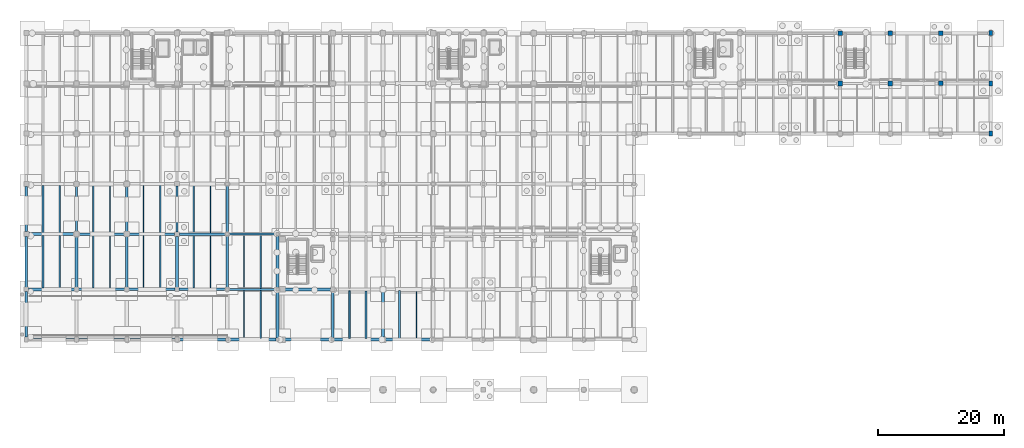
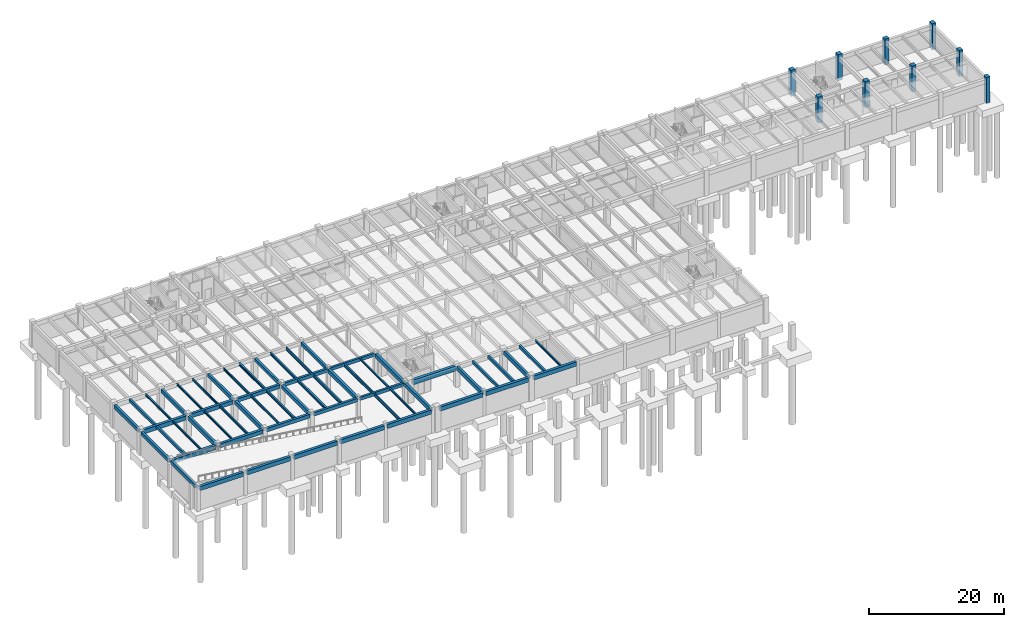
# One storey, part 8 of 25: 58 beams, 9 columns.
"""IFC4 building model written with IfcOpenShell, lengths in metres."""

from ifc_helpers import new_model, si_unit, direction, frame, origin, origin_2d, place, context, subcontext, project, spatial, rectangle, i_section, extrude, material, material_profile, profile_set, type_object, element, save


model = new_model("IFC4")

# Units and contexts
model_context = context("Model", 3, precision=1e-05, world=origin(), true_north=direction((0.0, 1.0)))
body_context = subcontext(model_context, "Body", "Model", "MODEL_VIEW")
ifc_project = project(units=[si_unit("LENGTHUNIT", "METRE"), si_unit("AREAUNIT", "SQUARE_METRE"), si_unit("VOLUMEUNIT", "CUBIC_METRE"), si_unit("PLANEANGLEUNIT", "RADIAN"), si_unit("MASSUNIT", "GRAM", prefix="KILO")], contexts=[model_context])

# Site, building, storey
site_placement = place(None, origin())
site = spatial("IfcSite", under=ifc_project, at=site_placement, CompositionType="ELEMENT")
building_placement = place(site_placement, origin())
building = spatial("IfcBuilding", under=site, at=building_placement, Name="Tlaxcora Railside Police Headquarters", CompositionType="ELEMENT")
storey_placement = place(building_placement, frame((0.0, 0.0, -4.199951171875)))
storey = spatial("IfcBuildingStorey", under=building, at=storey_placement, Name="B1", CompositionType="ELEMENT", Elevation=-4.199951171875)

# Columns
ifc_material_1 = material(Name="Concrete C40/50", Category="concrete")
ifc_material_profile_1 = material_profile(ifc_material_1, rectangle(XDim=0.75, YDim=0.75, at=origin_2d()), Name="RC750X750")
ifc_profile_set_1 = profile_set([ifc_material_profile_1], Name="Concrete C40/50")
column_type_1 = type_object("IfcColumnType", Name="Structural Column CL-18", PredefinedType="COLUMN", material=ifc_profile_set_1)
for number, where, z_axis, x_axis, name in (
    (1, (134.800048828125, 84.800048828125, -0.52001953125), (0.0, 0.0, 1.0), (1.0, 0.0, 0.0), "B1 column (134.8, 84.8)"),
    (2, (134.800048828125, 92.800048828125, -0.52001953125), (0.0, 0.0, 1.0), (1.0, 0.0, 0.0), "B1 column (134.8, 92.8)"),
    (3, (142.800048828125, 84.800048828125, -0.52001953125), (0.0, 0.0, 1.0), (1.0, 0.0, 0.0), "B1 column (142.8, 84.8)"),
    (4, (142.800048828125, 92.800048828125, -0.52001953125), (0.0, 0.0, 1.0), (1.0, 0.0, 0.0), "B1 column (142.8, 92.8)"),
):
    element("IfcColumn", number, at=place(storey_placement, frame(where, z_axis=z_axis, x_axis=x_axis)), inside=storey, type_object=column_type_1, Name=name, PredefinedType="COLUMN", context=body_context, shape_type="SweptSolid", body=[
        extrude(rectangle(XDim=0.75, YDim=0.75, at=origin_2d()), origin(), (0.0, 0.0, 1.0), 4.719970703125),
    ])
ifc_material_profile_2 = material_profile(ifc_material_1, rectangle(XDim=0.699951171875, YDim=0.699951171875, at=origin_2d()), Name="RC700X700")
ifc_profile_set_2 = profile_set([ifc_material_profile_2], Name="Concrete C40/50")
column_type_2 = type_object("IfcColumnType", Name="Structural Column CL-43", PredefinedType="COLUMN", material=ifc_profile_set_2)
for number, where, z_axis, x_axis, name in (
    (5, (150.800048828125, 84.800048828125, -0.52001953125), (0.0, 0.0, 1.0), (1.0, 0.0, 0.0), "B1 column (150.8, 84.8)"),
    (6, (150.800048828125, 92.800048828125, -0.52001953125), (0.0, 0.0, 1.0), (1.0, 0.0, 0.0), "B1 column (150.8, 92.8)"),
):
    element("IfcColumn", number, at=place(storey_placement, frame(where, z_axis=z_axis, x_axis=x_axis)), inside=storey, type_object=column_type_2, Name=name, PredefinedType="COLUMN", context=body_context, shape_type="SweptSolid", body=[
        extrude(rectangle(XDim=0.699951171875, YDim=0.699951171875, at=origin_2d()), origin(), (0.0, 0.0, 1.0), 4.719970703125),
    ])
ifc_material_profile_3 = material_profile(ifc_material_1, rectangle(XDim=0.60009765625, YDim=0.800048828125, at=origin_2d()), Name="RC600X800")
ifc_profile_set_3 = profile_set([ifc_material_profile_3], Name="Concrete C40/50")
column_type_3 = type_object("IfcColumnType", Name="Structural Column CL-90", PredefinedType="COLUMN", material=ifc_profile_set_3)
for number, where, z_axis, x_axis, name in (
    (7, (158.800048828125, 76.800048828125, -0.52001953125), (0.0, 0.0, 1.0), (1.0, 0.0, 0.0), "B1 column (158.8, 76.8)"),
    (8, (158.800048828125, 84.800048828125, -0.52001953125), (0.0, 0.0, 1.0), (1.0, 0.0, 0.0), "B1 column (158.8, 84.8)"),
    (9, (158.800048828125, 92.800048828125, -0.52001953125), (0.0, 0.0, 1.0), (1.0, 0.0, 0.0), "B1 column (158.8, 92.8)"),
):
    element("IfcColumn", number, at=place(storey_placement, frame(where, z_axis=z_axis, x_axis=x_axis)), inside=storey, type_object=column_type_3, Name=name, PredefinedType="COLUMN", context=body_context, shape_type="SweptSolid", body=[
        extrude(rectangle(XDim=0.60009765625, YDim=0.800048828125, at=origin_2d()), origin(), (0.0, 0.0, 1.0), 4.719970703125),
    ])

# Beams
ifc_material_profile_4 = material_profile(ifc_material_1, rectangle(XDim=0.39990234375, YDim=0.64990234375, at=origin_2d()), Name="RC400X650")
ifc_profile_set_4 = profile_set([ifc_material_profile_4], Name="Concrete C40/50")
beam_type_1 = type_object("IfcBeamType", Name="Perimeter Spandrel Beam BM-46", PredefinedType="SPANDREL", material=ifc_profile_set_4)
beam_1_placement = place(storey_placement, frame((5.199951171875, 44.389892578125, 3.594970703125), z_axis=(0.0, 1.0, 0.0), x_axis=(-1.0, 0.0, 0.0)))
element("IfcBeam", 10, at=beam_1_placement, inside=storey, type_object=beam_type_1, Name="V5 B1 Y-girder X=5.2", PredefinedType="SPANDREL", context=body_context, shape_type="SweptSolid", body=[
    extrude(rectangle(XDim=0.39990234375, YDim=0.64990234375, at=origin_2d()), origin(), (0.0, 0.0, 1.0), 7.27001953125),
])
beam_2_placement = place(storey_placement, frame((5.199951171875, 52.340087890625, 3.454833984375), z_axis=(0.0, 1.0, 0.0), x_axis=(-1.0, 0.0, 0.0)))
element("IfcBeam", 11, at=beam_2_placement, inside=storey, type_object=beam_type_1, Name="V5 B1 Y-girder X=5.2", PredefinedType="SPANDREL", context=body_context, shape_type="SweptSolid", body=[
    extrude(rectangle(XDim=0.39990234375, YDim=0.64990234375, at=origin_2d()), origin(), (0.0, 0.0, 1.0), 8.06982421875),
])
beam_3_placement = place(storey_placement, frame((5.199951171875, 61.18994140625, 3.454833984375), z_axis=(0.0, 1.0, 0.0), x_axis=(-1.0, 0.0, 0.0)))
element("IfcBeam", 12, at=beam_3_placement, inside=storey, type_object=beam_type_1, Name="V5 B1 Y-girder X=5.2", PredefinedType="SPANDREL", context=body_context, shape_type="SweptSolid", body=[
    extrude(rectangle(XDim=0.39990234375, YDim=0.64990234375, at=origin_2d()), origin(), (0.0, 0.0, 1.0), 7.219970703125),
])
ifc_material_profile_5 = material_profile(ifc_material_1, rectangle(XDim=0.449951171875, YDim=0.75, at=origin_2d()), Name="RC450X750")
ifc_profile_set_5 = profile_set([ifc_material_profile_5], Name="Concrete C40/50")
beam_type_2 = type_object("IfcBeamType", Name="Perimeter Spandrel Beam BM-86", PredefinedType="SPANDREL", material=ifc_profile_set_5)
for number, where, z_axis, x_axis, name in (
    (13, (5.489990234375, 44.0, 3.405029296875), (1.0, 0.0, 0.0), (0.0, 1.0, 0.0), "V5 B1 X-girder Y=44.0"),
    (14, (13.489990234375, 44.0, 3.405029296875), (1.0, 0.0, 0.0), (0.0, 1.0, 0.0), "V5 B1 X-girder Y=44.0"),
    (15, (21.489990234375, 44.0, 3.405029296875), (1.0, 0.0, 0.0), (0.0, 1.0, 0.0), "V5 B1 X-girder Y=44.0"),
):
    element("IfcBeam", number, at=place(storey_placement, frame(where, z_axis=z_axis, x_axis=x_axis)), inside=storey, type_object=beam_type_2, Name=name, PredefinedType="SPANDREL", context=body_context, shape_type="SweptSolid", body=[
        extrude(rectangle(XDim=0.449951171875, YDim=0.75, at=origin_2d()), origin(), (0.0, 0.0, 1.0), 7.419921875),
    ])
beam_4_placement = place(storey_placement, frame((29.489990234375, 44.0, 3.405029296875), z_axis=(1.0, 0.0, 0.0), x_axis=(0.0, 1.0, 0.0)))
element("IfcBeam", 16, at=beam_4_placement, inside=storey, type_object=beam_type_2, Name="V5 B1 X-girder Y=44.0", PredefinedType="SPANDREL", context=body_context, shape_type="SweptSolid", body=[
    extrude(rectangle(XDim=0.449951171875, YDim=0.75, at=origin_2d()), origin(), (0.0, 0.0, 1.0), 7.469970703125),
])
beam_5_placement = place(storey_placement, frame((37.43994140625, 44.0, 3.405029296875), z_axis=(1.0, 0.0, 0.0), x_axis=(0.0, 1.0, 0.0)))
element("IfcBeam", 17, at=beam_5_placement, inside=storey, type_object=beam_type_2, Name="V5 B1 X-girder Y=44.0", PredefinedType="SPANDREL", context=body_context, shape_type="SweptSolid", body=[
    extrude(rectangle(XDim=0.449951171875, YDim=0.75, at=origin_2d()), origin(), (0.0, 0.0, 1.0), 7.52001953125),
])
for number, where, z_axis, x_axis, name in (
    (18, (46.43994140625, 44.0, 3.405029296875), (1.0, 0.0, 0.0), (0.0, 1.0, 0.0), "V5 B1 X-girder Y=44.0"),
    (19, (54.239990234375, 44.0, 3.405029296875), (1.0, 0.0, 0.0), (0.0, 1.0, 0.0), "V5 B1 X-girder Y=44.0"),
    (20, (62.43994140625, 44.0, 3.405029296875), (1.0, 0.0, 0.0), (0.0, 1.0, 0.0), "V5 B1 X-girder Y=44.0"),
):
    element("IfcBeam", number, at=place(storey_placement, frame(where, z_axis=z_axis, x_axis=x_axis)), inside=storey, type_object=beam_type_2, Name=name, PredefinedType="SPANDREL", context=body_context, shape_type="SweptSolid", body=[
        extrude(rectangle(XDim=0.449951171875, YDim=0.75, at=origin_2d()), origin(), (0.0, 0.0, 1.0), 7.320068359375),
    ])
ifc_material_profile_6 = material_profile(ifc_material_1, rectangle(XDim=0.3798828125, YDim=0.60009765625, at=origin_2d()), Name="RC380X600")
ifc_profile_set_6 = profile_set([ifc_material_profile_6], Name="Concrete C40/50")
beam_type_3 = type_object("IfcBeamType", Name="Primary Frame Girder BM-22", PredefinedType="BEAM", material=ifc_profile_set_6)
beam_6_placement = place(storey_placement, frame((29.5400390625, 52.0, 3.47998046875), z_axis=(1.0, 0.0, 0.0), x_axis=(0.0, 1.0, 0.0)))
element("IfcBeam", 21, at=beam_6_placement, inside=storey, type_object=beam_type_3, Name="V5 B1 X-girder Y=52.0", PredefinedType="BEAM", context=body_context, shape_type="SweptSolid", body=[
    extrude(rectangle(XDim=0.3798828125, YDim=0.60009765625, at=origin_2d()), origin(), (0.0, 0.0, 1.0), 7.419921875),
])
beam_7_placement = place(storey_placement, frame((29.56494140625, 60.800048828125, 3.47998046875), z_axis=(1.0, 0.0, 0.0), x_axis=(0.0, 1.0, 0.0)))
element("IfcBeam", 22, at=beam_7_placement, inside=storey, type_object=beam_type_3, Name="V5 B1 X-girder Y=60.8", PredefinedType="BEAM", context=body_context, shape_type="SweptSolid", body=[
    extrude(rectangle(XDim=0.3798828125, YDim=0.60009765625, at=origin_2d()), origin(), (0.0, 0.0, 1.0), 7.39501953125),
])
for number, where, z_axis, x_axis, name in (
    (23, (13.199951171875, 61.18994140625, 3.47998046875), (0.0, 1.0, 0.0), (-1.0, 0.0, 0.0), "V5 B1 Y-girder X=13.2"),
    (24, (21.199951171875, 61.18994140625, 3.47998046875), (0.0, 1.0, 0.0), (-1.0, 0.0, 0.0), "V5 B1 Y-girder X=21.2"),
):
    element("IfcBeam", number, at=place(storey_placement, frame(where, z_axis=z_axis, x_axis=x_axis)), inside=storey, type_object=beam_type_3, Name=name, PredefinedType="BEAM", context=body_context, shape_type="SweptSolid", body=[
        extrude(rectangle(XDim=0.3798828125, YDim=0.60009765625, at=origin_2d()), origin(), (0.0, 0.0, 1.0), 7.219970703125),
    ])
beam_8_placement = place(storey_placement, frame((29.199951171875, 61.1650390625, 3.47998046875), z_axis=(0.0, 1.0, 0.0), x_axis=(-1.0, 0.0, 0.0)))
element("IfcBeam", 25, at=beam_8_placement, inside=storey, type_object=beam_type_3, Name="V5 B1 Y-girder X=29.2", PredefinedType="BEAM", context=body_context, shape_type="SweptSolid", body=[
    extrude(rectangle(XDim=0.3798828125, YDim=0.60009765625, at=origin_2d()), origin(), (0.0, 0.0, 1.0), 7.27001953125),
])
beam_9_placement = place(storey_placement, frame((37.199951171875, 61.0400390625, 3.47998046875), z_axis=(0.0, 1.0, 0.0), x_axis=(-1.0, 0.0, 0.0)))
element("IfcBeam", 26, at=beam_9_placement, inside=storey, type_object=beam_type_3, Name="V5 B1 Y-girder X=37.2", PredefinedType="BEAM", context=body_context, shape_type="SweptSolid", body=[
    extrude(rectangle(XDim=0.3798828125, YDim=0.60009765625, at=origin_2d()), origin(), (0.0, 0.0, 1.0), 7.52001953125),
])
ifc_material_profile_7 = material_profile(ifc_material_1, rectangle(XDim=0.419921875, YDim=0.699951171875, at=origin_2d()), Name="RC420X700")
ifc_profile_set_7 = profile_set([ifc_material_profile_7], Name="Concrete C40/50")
beam_type_4 = type_object("IfcBeamType", Name="Primary Frame Girder BM-35", PredefinedType="BEAM", material=ifc_profile_set_7)
beam_10_placement = place(storey_placement, frame((13.5400390625, 52.0, 3.429931640625), z_axis=(1.0, 0.0, 0.0), x_axis=(0.0, 1.0, 0.0)))
element("IfcBeam", 27, at=beam_10_placement, inside=storey, type_object=beam_type_4, Name="V5 B1 X-girder Y=52.0", PredefinedType="BEAM", context=body_context, shape_type="SweptSolid", body=[
    extrude(rectangle(XDim=0.419921875, YDim=0.699951171875, at=origin_2d()), origin(), (0.0, 0.0, 1.0), 7.320068359375),
])
beam_11_placement = place(storey_placement, frame((13.590087890625, 60.800048828125, 3.429931640625), z_axis=(1.0, 0.0, 0.0), x_axis=(0.0, 1.0, 0.0)))
element("IfcBeam", 28, at=beam_11_placement, inside=storey, type_object=beam_type_4, Name="V5 B1 X-girder Y=60.8", PredefinedType="BEAM", context=body_context, shape_type="SweptSolid", body=[
    extrude(rectangle(XDim=0.419921875, YDim=0.699951171875, at=origin_2d()), origin(), (0.0, 0.0, 1.0), 7.219970703125),
])
for number, where, z_axis, x_axis, name in (
    (29, (13.199951171875, 52.340087890625, 3.429931640625), (0.0, 1.0, 0.0), (-1.0, 0.0, 0.0), "V5 B1 Y-girder X=13.2"),
    (30, (21.199951171875, 52.340087890625, 3.429931640625), (0.0, 1.0, 0.0), (-1.0, 0.0, 0.0), "V5 B1 Y-girder X=21.2"),
):
    element("IfcBeam", number, at=place(storey_placement, frame(where, z_axis=z_axis, x_axis=x_axis)), inside=storey, type_object=beam_type_4, Name=name, PredefinedType="BEAM", context=body_context, shape_type="SweptSolid", body=[
        extrude(rectangle(XDim=0.419921875, YDim=0.699951171875, at=origin_2d()), origin(), (0.0, 0.0, 1.0), 8.06982421875),
    ])
beam_12_placement = place(storey_placement, frame((29.199951171875, 52.340087890625, 3.429931640625), z_axis=(0.0, 1.0, 0.0), x_axis=(-1.0, 0.0, 0.0)))
element("IfcBeam", 31, at=beam_12_placement, inside=storey, type_object=beam_type_4, Name="V5 B1 Y-girder X=29.2", PredefinedType="BEAM", context=body_context, shape_type="SweptSolid", body=[
    extrude(rectangle(XDim=0.419921875, YDim=0.699951171875, at=origin_2d()), origin(), (0.0, 0.0, 1.0), 8.094970703125),
])
beam_13_placement = place(storey_placement, frame((37.199951171875, 52.239990234375, 3.429931640625), z_axis=(0.0, 1.0, 0.0), x_axis=(-1.0, 0.0, 0.0)))
element("IfcBeam", 32, at=beam_13_placement, inside=storey, type_object=beam_type_4, Name="V5 B1 Y-girder X=37.2", PredefinedType="BEAM", context=body_context, shape_type="SweptSolid", body=[
    extrude(rectangle(XDim=0.419921875, YDim=0.699951171875, at=origin_2d()), origin(), (0.0, 0.0, 1.0), 8.320068359375),
])
beam_14_placement = place(storey_placement, frame((45.199951171875, 44.239990234375, 3.429931640625), z_axis=(0.0, 1.0, 0.0), x_axis=(-1.0, 0.0, 0.0)))
element("IfcBeam", 33, at=beam_14_placement, inside=storey, type_object=beam_type_4, Name="V5 B1 Y-girder X=45.2", PredefinedType="BEAM", context=body_context, shape_type="SweptSolid", body=[
    extrude(rectangle(XDim=0.419921875, YDim=0.699951171875, at=origin_2d()), origin(), (0.0, 0.0, 1.0), 7.52001953125),
])
beam_15_placement = place(storey_placement, frame((45.199951171875, 52.239990234375, 3.429931640625), z_axis=(0.0, 1.0, 0.0), x_axis=(-1.0, 0.0, 0.0)))
element("IfcBeam", 34, at=beam_15_placement, inside=storey, type_object=beam_type_4, Name="V5 B1 Y-girder X=45.2", PredefinedType="BEAM", context=body_context, shape_type="SweptSolid", body=[
    extrude(rectangle(XDim=0.419921875, YDim=0.699951171875, at=origin_2d()), origin(), (0.0, 0.0, 1.0), 8.320068359375),
])
beam_16_placement = place(storey_placement, frame((54.0, 44.239990234375, 3.429931640625), z_axis=(0.0, 1.0, 0.0), x_axis=(-1.0, 0.0, 0.0)))
element("IfcBeam", 35, at=beam_16_placement, inside=storey, type_object=beam_type_4, Name="V5 B1 Y-girder X=54.0", PredefinedType="BEAM", context=body_context, shape_type="SweptSolid", body=[
    extrude(rectangle(XDim=0.419921875, YDim=0.699951171875, at=origin_2d()), origin(), (0.0, 0.0, 1.0), 7.419921875),
])
beam_17_placement = place(storey_placement, frame((62.0, 44.43994140625, 3.429931640625), z_axis=(0.0, 1.0, 0.0), x_axis=(-1.0, 0.0, 0.0)))
element("IfcBeam", 36, at=beam_17_placement, inside=storey, type_object=beam_type_4, Name="V5 B1 Y-girder X=62.0", PredefinedType="BEAM", context=body_context, shape_type="SweptSolid", body=[
    extrude(rectangle(XDim=0.419921875, YDim=0.699951171875, at=origin_2d()), origin(), (0.0, 0.0, 1.0), 7.1201171875),
])
ifc_material_profile_8 = material_profile(ifc_material_1, rectangle(XDim=0.35009765625, YDim=0.550048828125, at=origin_2d()), Name="RC350X550")
ifc_profile_set_8 = profile_set([ifc_material_profile_8], Name="Concrete C40/50")
beam_type_5 = type_object("IfcBeamType", Name="Primary Frame Girder BM-39", PredefinedType="BEAM", material=ifc_profile_set_8)
for number, where, z_axis, x_axis, name in (
    (37, (37.43994140625, 52.0, 3.5048828125), (1.0, 0.0, 0.0), (0.0, 1.0, 0.0), "V5 B1 X-girder Y=52.0"),
    (38, (37.43994140625, 60.800048828125, 3.5048828125), (1.0, 0.0, 0.0), (0.0, 1.0, 0.0), "V5 B1 X-girder Y=60.8"),
):
    element("IfcBeam", number, at=place(storey_placement, frame(where, z_axis=z_axis, x_axis=x_axis)), inside=storey, type_object=beam_type_5, Name=name, PredefinedType="BEAM", context=body_context, shape_type="SweptSolid", body=[
        extrude(rectangle(XDim=0.35009765625, YDim=0.550048828125, at=origin_2d()), origin(), (0.0, 0.0, 1.0), 7.52001953125),
    ])
ifc_material_profile_9 = material_profile(ifc_material_1, rectangle(XDim=0.39990234375, YDim=0.64990234375, at=origin_2d()), Name="RC400X650")
ifc_profile_set_9 = profile_set([ifc_material_profile_9], Name="Concrete C40/50")
beam_type_6 = type_object("IfcBeamType", Name="Primary Frame Girder BM-41", PredefinedType="BEAM", material=ifc_profile_set_9)
beam_18_placement = place(storey_placement, frame((21.5400390625, 52.0, 3.454833984375), z_axis=(1.0, 0.0, 0.0), x_axis=(0.0, 1.0, 0.0)))
element("IfcBeam", 39, at=beam_18_placement, inside=storey, type_object=beam_type_6, Name="V5 B1 X-girder Y=52.0", PredefinedType="BEAM", context=body_context, shape_type="SweptSolid", body=[
    extrude(rectangle(XDim=0.39990234375, YDim=0.64990234375, at=origin_2d()), origin(), (0.0, 0.0, 1.0), 7.320068359375),
])
beam_19_placement = place(storey_placement, frame((21.590087890625, 60.800048828125, 3.454833984375), z_axis=(1.0, 0.0, 0.0), x_axis=(0.0, 1.0, 0.0)))
element("IfcBeam", 40, at=beam_19_placement, inside=storey, type_object=beam_type_6, Name="V5 B1 X-girder Y=60.8", PredefinedType="BEAM", context=body_context, shape_type="SweptSolid", body=[
    extrude(rectangle(XDim=0.39990234375, YDim=0.64990234375, at=origin_2d()), origin(), (0.0, 0.0, 1.0), 7.244873046875),
])
ifc_material_profile_10 = material_profile(ifc_material_1, rectangle(XDim=0.5, YDim=0.85009765625, at=origin_2d()), Name="RC500X850")
ifc_profile_set_10 = profile_set([ifc_material_profile_10], Name="Concrete C40/50")
beam_type_7 = type_object("IfcBeamType", Name="Primary Frame Girder BM-64", PredefinedType="BEAM", material=ifc_profile_set_10)
beam_20_placement = place(storey_placement, frame((46.43994140625, 52.0, 3.35498046875), z_axis=(1.0, 0.0, 0.0), x_axis=(0.0, 1.0, 0.0)))
element("IfcBeam", 41, at=beam_20_placement, inside=storey, type_object=beam_type_7, Name="V5 B1 X-girder Y=52.0", PredefinedType="BEAM", context=body_context, shape_type="SweptSolid", body=[
    extrude(rectangle(XDim=0.5, YDim=0.85009765625, at=origin_2d()), origin(), (0.0, 0.0, 1.0), 7.219970703125),
])
ifc_material_profile_11 = material_profile(ifc_material_1, rectangle(XDim=0.449951171875, YDim=0.75, at=origin_2d()), Name="RC450X750")
ifc_profile_set_11 = profile_set([ifc_material_profile_11], Name="Concrete C40/50")
beam_type_8 = type_object("IfcBeamType", Name="Primary Frame Girder BM-73", PredefinedType="BEAM", material=ifc_profile_set_11)
beam_21_placement = place(storey_placement, frame((5.5400390625, 52.0, 3.405029296875), z_axis=(1.0, 0.0, 0.0), x_axis=(0.0, 1.0, 0.0)))
element("IfcBeam", 42, at=beam_21_placement, inside=storey, type_object=beam_type_8, Name="V5 B1 X-girder Y=52.0", PredefinedType="BEAM", context=body_context, shape_type="SweptSolid", body=[
    extrude(rectangle(XDim=0.449951171875, YDim=0.75, at=origin_2d()), origin(), (0.0, 0.0, 1.0), 7.320068359375),
])
beam_22_placement = place(storey_placement, frame((5.590087890625, 60.800048828125, 3.405029296875), z_axis=(1.0, 0.0, 0.0), x_axis=(0.0, 1.0, 0.0)))
element("IfcBeam", 43, at=beam_22_placement, inside=storey, type_object=beam_type_8, Name="V5 B1 X-girder Y=60.8", PredefinedType="BEAM", context=body_context, shape_type="SweptSolid", body=[
    extrude(rectangle(XDim=0.449951171875, YDim=0.75, at=origin_2d()), origin(), (0.0, 0.0, 1.0), 7.219970703125),
])
ifc_material_2 = material(Name="Concrete C35/45", Category="concrete")
ifc_material_profile_12 = material_profile(ifc_material_2, rectangle(XDim=0.300048828125, YDim=0.449951171875, at=origin_2d()), Name="RC300X450")
ifc_profile_set_12 = profile_set([ifc_material_profile_12], Name="Concrete C35/45")
beam_type_9 = type_object("IfcBeamType", Name="Secondary Floor Joist BM-27", PredefinedType="JOIST", material=ifc_profile_set_12)
beam_23_placement = place(storey_placement, frame((56.666748046875, 44.217041015625, 3.554931640625), z_axis=(0.0, 1.0, 0.0), x_axis=(-1.0, 0.0, 0.0)))
element("IfcBeam", 44, at=beam_23_placement, inside=storey, type_object=beam_type_9, Name="V5 B1 floor joist X=56.67", PredefinedType="JOIST", context=body_context, shape_type="SweptSolid", body=[
    extrude(rectangle(XDim=0.300048828125, YDim=0.449951171875, at=origin_2d()), origin(), (0.0, 0.0, 1.0), 7.56591796875),
])
ifc_material_3 = material(Name="Steel ASTM A992 Grade 50", Category="steel")
ifc_material_profile_13 = material_profile(ifc_material_3, i_section(OverallWidth=0.280029296875, OverallDepth=0.4619140625, WebThickness=0.0107421875, FlangeThickness=0.017333984375, at=origin_2d()), Name="W18X76")
ifc_profile_set_13 = profile_set([ifc_material_profile_13], Name="Steel ASTM A992 Grade 50")
beam_type_10 = type_object("IfcBeamType", Name="Secondary Floor Joist BM-44", PredefinedType="JOIST", material=ifc_profile_set_13)
beam_24_placement = place(storey_placement, frame((26.533203125, 52.19189453125, 3.549072265625), z_axis=(0.0, 1.0, 0.0), x_axis=(-1.0, 0.0, 0.0)))
element("IfcBeam", 45, at=beam_24_placement, inside=storey, type_object=beam_type_10, Name="V5 B1 floor joist X=26.53", PredefinedType="JOIST", context=body_context, shape_type="SweptSolid", body=[
    extrude(i_section(OverallWidth=0.280029296875, OverallDepth=0.4619140625, WebThickness=0.0107421875, FlangeThickness=0.017333984375, at=origin_2d()), origin(), (0.0, 0.0, 1.0), 8.416015625),
])
beam_25_placement = place(storey_placement, frame((31.86669921875, 52.181884765625, 3.549072265625), z_axis=(0.0, 1.0, 0.0), x_axis=(-1.0, 0.0, 0.0)))
element("IfcBeam", 46, at=beam_25_placement, inside=storey, type_object=beam_type_10, Name="V5 B1 floor joist X=31.87", PredefinedType="JOIST", context=body_context, shape_type="SweptSolid", body=[
    extrude(i_section(OverallWidth=0.280029296875, OverallDepth=0.4619140625, WebThickness=0.0107421875, FlangeThickness=0.017333984375, at=origin_2d()), origin(), (0.0, 0.0, 1.0), 8.43603515625),
])
beam_26_placement = place(storey_placement, frame((26.533203125, 60.991943359375, 3.549072265625), z_axis=(0.0, 1.0, 0.0), x_axis=(-1.0, 0.0, 0.0)))
element("IfcBeam", 47, at=beam_26_placement, inside=storey, type_object=beam_type_10, Name="V5 B1 floor joist X=26.53", PredefinedType="JOIST", context=body_context, shape_type="SweptSolid", body=[
    extrude(i_section(OverallWidth=0.280029296875, OverallDepth=0.4619140625, WebThickness=0.0107421875, FlangeThickness=0.017333984375, at=origin_2d()), origin(), (0.0, 0.0, 1.0), 7.615966796875),
])
beam_27_placement = place(storey_placement, frame((31.86669921875, 60.98193359375, 3.549072265625), z_axis=(0.0, 1.0, 0.0), x_axis=(-1.0, 0.0, 0.0)))
element("IfcBeam", 48, at=beam_27_placement, inside=storey, type_object=beam_type_10, Name="V5 B1 floor joist X=31.87", PredefinedType="JOIST", context=body_context, shape_type="SweptSolid", body=[
    extrude(i_section(OverallWidth=0.280029296875, OverallDepth=0.4619140625, WebThickness=0.0107421875, FlangeThickness=0.017333984375, at=origin_2d()), origin(), (0.0, 0.0, 1.0), 7.635986328125),
])
ifc_material_profile_14 = material_profile(ifc_material_3, i_section(OverallWidth=0.2041015625, OverallDepth=0.35009765625, WebThickness=0.008544921875, FlangeThickness=0.01513671875, at=origin_2d()), Name="W14X48")
ifc_profile_set_14 = profile_set([ifc_material_profile_14], Name="Steel ASTM A992 Grade 50")
beam_type_11 = type_object("IfcBeamType", Name="Secondary Floor Joist BM-65", PredefinedType="JOIST", material=ifc_profile_set_14)
beam_28_placement = place(storey_placement, frame((67.333251953125, 44.217041015625, 3.60498046875), z_axis=(0.0, 1.0, 0.0), x_axis=(-1.0, 0.0, 0.0)))
element("IfcBeam", 49, at=beam_28_placement, inside=storey, type_object=beam_type_11, Name="V5 B1 floor joist X=67.33", PredefinedType="JOIST", context=body_context, shape_type="SweptSolid", body=[
    extrude(i_section(OverallWidth=0.2041015625, OverallDepth=0.35009765625, WebThickness=0.008544921875, FlangeThickness=0.01513671875, at=origin_2d()), origin(), (0.0, 0.0, 1.0), 7.5810546875),
])
beam_29_placement = place(storey_placement, frame((10.533203125, 52.217041015625, 3.60498046875), z_axis=(0.0, 1.0, 0.0), x_axis=(-1.0, 0.0, 0.0)))
element("IfcBeam", 50, at=beam_29_placement, inside=storey, type_object=beam_type_11, Name="V5 B1 floor joist X=10.53", PredefinedType="JOIST", context=body_context, shape_type="SweptSolid", body=[
    extrude(i_section(OverallWidth=0.2041015625, OverallDepth=0.35009765625, WebThickness=0.008544921875, FlangeThickness=0.01513671875, at=origin_2d()), origin(), (0.0, 0.0, 1.0), 8.365966796875),
])
beam_30_placement = place(storey_placement, frame((15.86669921875, 52.201904296875, 3.60498046875), z_axis=(0.0, 1.0, 0.0), x_axis=(-1.0, 0.0, 0.0)))
element("IfcBeam", 51, at=beam_30_placement, inside=storey, type_object=beam_type_11, Name="V5 B1 floor joist X=15.87", PredefinedType="JOIST", context=body_context, shape_type="SweptSolid", body=[
    extrude(i_section(OverallWidth=0.2041015625, OverallDepth=0.35009765625, WebThickness=0.008544921875, FlangeThickness=0.01513671875, at=origin_2d()), origin(), (0.0, 0.0, 1.0), 8.39599609375),
])
beam_31_placement = place(storey_placement, frame((10.533203125, 61.01708984375, 3.60498046875), z_axis=(0.0, 1.0, 0.0), x_axis=(-1.0, 0.0, 0.0)))
element("IfcBeam", 52, at=beam_31_placement, inside=storey, type_object=beam_type_11, Name="V5 B1 floor joist X=10.53", PredefinedType="JOIST", context=body_context, shape_type="SweptSolid", body=[
    extrude(i_section(OverallWidth=0.2041015625, OverallDepth=0.35009765625, WebThickness=0.008544921875, FlangeThickness=0.01513671875, at=origin_2d()), origin(), (0.0, 0.0, 1.0), 7.56591796875),
])
beam_32_placement = place(storey_placement, frame((15.86669921875, 61.001953125, 3.60498046875), z_axis=(0.0, 1.0, 0.0), x_axis=(-1.0, 0.0, 0.0)))
element("IfcBeam", 53, at=beam_32_placement, inside=storey, type_object=beam_type_11, Name="V5 B1 floor joist X=15.87", PredefinedType="JOIST", context=body_context, shape_type="SweptSolid", body=[
    extrude(i_section(OverallWidth=0.2041015625, OverallDepth=0.35009765625, WebThickness=0.008544921875, FlangeThickness=0.01513671875, at=origin_2d()), origin(), (0.0, 0.0, 1.0), 7.595947265625),
])
ifc_material_profile_15 = material_profile(ifc_material_3, i_section(OverallWidth=0.180908203125, OverallDepth=0.4169921875, WebThickness=0.010009765625, FlangeThickness=0.018310546875, at=origin_2d()), Name="W16X57")
ifc_profile_set_15 = profile_set([ifc_material_profile_15], Name="Steel ASTM A992 Grade 50")
beam_type_12 = type_object("IfcBeamType", Name="Secondary Floor Joist BM-84", PredefinedType="JOIST", material=ifc_profile_set_15)
beam_33_placement = place(storey_placement, frame((18.533203125, 52.201904296875, 3.571533203125), z_axis=(0.0, 1.0, 0.0), x_axis=(-1.0, 0.0, 0.0)))
element("IfcBeam", 54, at=beam_33_placement, inside=storey, type_object=beam_type_12, Name="V5 B1 floor joist X=18.53", PredefinedType="JOIST", context=body_context, shape_type="SweptSolid", body=[
    extrude(i_section(OverallWidth=0.180908203125, OverallDepth=0.4169921875, WebThickness=0.010009765625, FlangeThickness=0.018310546875, at=origin_2d()), origin(), (0.0, 0.0, 1.0), 8.39599609375),
])
beam_34_placement = place(storey_placement, frame((23.86669921875, 52.19189453125, 3.571533203125), z_axis=(0.0, 1.0, 0.0), x_axis=(-1.0, 0.0, 0.0)))
element("IfcBeam", 55, at=beam_34_placement, inside=storey, type_object=beam_type_12, Name="V5 B1 floor joist X=23.87", PredefinedType="JOIST", context=body_context, shape_type="SweptSolid", body=[
    extrude(i_section(OverallWidth=0.180908203125, OverallDepth=0.4169921875, WebThickness=0.010009765625, FlangeThickness=0.018310546875, at=origin_2d()), origin(), (0.0, 0.0, 1.0), 8.416015625),
])
beam_35_placement = place(storey_placement, frame((18.533203125, 61.001953125, 3.571533203125), z_axis=(0.0, 1.0, 0.0), x_axis=(-1.0, 0.0, 0.0)))
element("IfcBeam", 56, at=beam_35_placement, inside=storey, type_object=beam_type_12, Name="V5 B1 floor joist X=18.53", PredefinedType="JOIST", context=body_context, shape_type="SweptSolid", body=[
    extrude(i_section(OverallWidth=0.180908203125, OverallDepth=0.4169921875, WebThickness=0.010009765625, FlangeThickness=0.018310546875, at=origin_2d()), origin(), (0.0, 0.0, 1.0), 7.595947265625),
])
beam_36_placement = place(storey_placement, frame((23.86669921875, 60.991943359375, 3.571533203125), z_axis=(0.0, 1.0, 0.0), x_axis=(-1.0, 0.0, 0.0)))
element("IfcBeam", 57, at=beam_36_placement, inside=storey, type_object=beam_type_12, Name="V5 B1 floor joist X=23.87", PredefinedType="JOIST", context=body_context, shape_type="SweptSolid", body=[
    extrude(i_section(OverallWidth=0.180908203125, OverallDepth=0.4169921875, WebThickness=0.010009765625, FlangeThickness=0.018310546875, at=origin_2d()), origin(), (0.0, 0.0, 1.0), 7.615966796875),
])
ifc_material_profile_16 = material_profile(ifc_material_2, rectangle(XDim=0.320068359375, YDim=0.5, at=origin_2d()), Name="RC320X500")
ifc_profile_set_16 = profile_set([ifc_material_profile_16], Name="Concrete C35/45")
beam_type_13 = type_object("IfcBeamType", Name="Secondary Floor Joist BM-88", PredefinedType="JOIST", material=ifc_profile_set_16)
beam_37_placement = place(storey_placement, frame((59.333251953125, 44.217041015625, 3.530029296875), z_axis=(0.0, 1.0, 0.0), x_axis=(-1.0, 0.0, 0.0)))
element("IfcBeam", 58, at=beam_37_placement, inside=storey, type_object=beam_type_13, Name="V5 B1 floor joist X=59.33", PredefinedType="JOIST", context=body_context, shape_type="SweptSolid", body=[
    extrude(rectangle(XDim=0.320068359375, YDim=0.5, at=origin_2d()), origin(), (0.0, 0.0, 1.0), 7.56591796875),
])
beam_38_placement = place(storey_placement, frame((64.666748046875, 44.217041015625, 3.530029296875), z_axis=(0.0, 1.0, 0.0), x_axis=(-1.0, 0.0, 0.0)))
element("IfcBeam", 59, at=beam_38_placement, inside=storey, type_object=beam_type_13, Name="V5 B1 floor joist X=64.67", PredefinedType="JOIST", context=body_context, shape_type="SweptSolid", body=[
    extrude(rectangle(XDim=0.320068359375, YDim=0.5, at=origin_2d()), origin(), (0.0, 0.0, 1.0), 7.5810546875),
])
beam_39_placement = place(storey_placement, frame((7.86669921875, 52.217041015625, 3.530029296875), z_axis=(0.0, 1.0, 0.0), x_axis=(-1.0, 0.0, 0.0)))
element("IfcBeam", 60, at=beam_39_placement, inside=storey, type_object=beam_type_13, Name="V5 B1 floor joist X=7.87", PredefinedType="JOIST", context=body_context, shape_type="SweptSolid", body=[
    extrude(rectangle(XDim=0.320068359375, YDim=0.5, at=origin_2d()), origin(), (0.0, 0.0, 1.0), 8.365966796875),
])
beam_40_placement = place(storey_placement, frame((7.86669921875, 61.01708984375, 3.530029296875), z_axis=(0.0, 1.0, 0.0), x_axis=(-1.0, 0.0, 0.0)))
element("IfcBeam", 61, at=beam_40_placement, inside=storey, type_object=beam_type_13, Name="V5 B1 floor joist X=7.87", PredefinedType="JOIST", context=body_context, shape_type="SweptSolid", body=[
    extrude(rectangle(XDim=0.320068359375, YDim=0.5, at=origin_2d()), origin(), (0.0, 0.0, 1.0), 7.56591796875),
])
ifc_material_profile_17 = material_profile(ifc_material_3, i_section(OverallWidth=0.202880859375, OverallDepth=0.302978515625, WebThickness=0.007568359375, FlangeThickness=0.01318359375, at=origin_2d()), Name="W12X40")
ifc_profile_set_17 = profile_set([ifc_material_profile_17], Name="Steel ASTM A992 Grade 50")
beam_type_14 = type_object("IfcBeamType", Name="Secondary Floor Joist BM-96", PredefinedType="JOIST", material=ifc_profile_set_17)
beam_41_placement = place(storey_placement, frame((42.533203125, 44.217041015625, 3.62841796875), z_axis=(0.0, 1.0, 0.0), x_axis=(-1.0, 0.0, 0.0)))
element("IfcBeam", 62, at=beam_41_placement, inside=storey, type_object=beam_type_14, Name="V5 B1 floor joist X=42.53", PredefinedType="JOIST", context=body_context, shape_type="SweptSolid", body=[
    extrude(i_section(OverallWidth=0.202880859375, OverallDepth=0.302978515625, WebThickness=0.007568359375, FlangeThickness=0.01318359375, at=origin_2d()), origin(), (0.0, 0.0, 1.0), 7.615966796875),
])
beam_42_placement = place(storey_placement, frame((42.533203125, 52.1669921875, 3.62841796875), z_axis=(0.0, 1.0, 0.0), x_axis=(-1.0, 0.0, 0.0)))
element("IfcBeam", 63, at=beam_42_placement, inside=storey, type_object=beam_type_14, Name="V5 B1 floor joist X=42.53", PredefinedType="JOIST", context=body_context, shape_type="SweptSolid", body=[
    extrude(i_section(OverallWidth=0.202880859375, OverallDepth=0.302978515625, WebThickness=0.007568359375, FlangeThickness=0.01318359375, at=origin_2d()), origin(), (0.0, 0.0, 1.0), 8.466064453125),
])
ifc_material_profile_18 = material_profile(ifc_material_3, i_section(OverallWidth=0.214111328125, OverallDepth=0.549072265625, WebThickness=0.0146484375, FlangeThickness=0.023681640625, at=origin_2d()), Name="W21X93")
ifc_profile_set_18 = profile_set([ifc_material_profile_18], Name="Steel ASTM A992 Grade 50")
beam_type_15 = type_object("IfcBeamType", Name="Secondary Floor Joist BM-97", PredefinedType="JOIST", material=ifc_profile_set_18)
beam_43_placement = place(storey_placement, frame((39.86669921875, 44.217041015625, 3.50537109375), z_axis=(0.0, 1.0, 0.0), x_axis=(-1.0, 0.0, 0.0)))
element("IfcBeam", 64, at=beam_43_placement, inside=storey, type_object=beam_type_15, Name="V5 B1 floor joist X=39.87", PredefinedType="JOIST", context=body_context, shape_type="SweptSolid", body=[
    extrude(i_section(OverallWidth=0.214111328125, OverallDepth=0.549072265625, WebThickness=0.0146484375, FlangeThickness=0.023681640625, at=origin_2d()), origin(), (0.0, 0.0, 1.0), 7.615966796875),
])
beam_44_placement = place(storey_placement, frame((34.533203125, 52.181884765625, 3.50537109375), z_axis=(0.0, 1.0, 0.0), x_axis=(-1.0, 0.0, 0.0)))
element("IfcBeam", 65, at=beam_44_placement, inside=storey, type_object=beam_type_15, Name="V5 B1 floor joist X=34.53", PredefinedType="JOIST", context=body_context, shape_type="SweptSolid", body=[
    extrude(i_section(OverallWidth=0.214111328125, OverallDepth=0.549072265625, WebThickness=0.0146484375, FlangeThickness=0.023681640625, at=origin_2d()), origin(), (0.0, 0.0, 1.0), 8.43603515625),
])
beam_45_placement = place(storey_placement, frame((39.86669921875, 52.1669921875, 3.50537109375), z_axis=(0.0, 1.0, 0.0), x_axis=(-1.0, 0.0, 0.0)))
element("IfcBeam", 66, at=beam_45_placement, inside=storey, type_object=beam_type_15, Name="V5 B1 floor joist X=39.87", PredefinedType="JOIST", context=body_context, shape_type="SweptSolid", body=[
    extrude(i_section(OverallWidth=0.214111328125, OverallDepth=0.549072265625, WebThickness=0.0146484375, FlangeThickness=0.023681640625, at=origin_2d()), origin(), (0.0, 0.0, 1.0), 8.466064453125),
])
beam_46_placement = place(storey_placement, frame((34.533203125, 60.98193359375, 3.50537109375), z_axis=(0.0, 1.0, 0.0), x_axis=(-1.0, 0.0, 0.0)))
element("IfcBeam", 67, at=beam_46_placement, inside=storey, type_object=beam_type_15, Name="V5 B1 floor joist X=34.53", PredefinedType="JOIST", context=body_context, shape_type="SweptSolid", body=[
    extrude(i_section(OverallWidth=0.214111328125, OverallDepth=0.549072265625, WebThickness=0.0146484375, FlangeThickness=0.023681640625, at=origin_2d()), origin(), (0.0, 0.0, 1.0), 7.635986328125),
])

save(model, "model.ifc")
